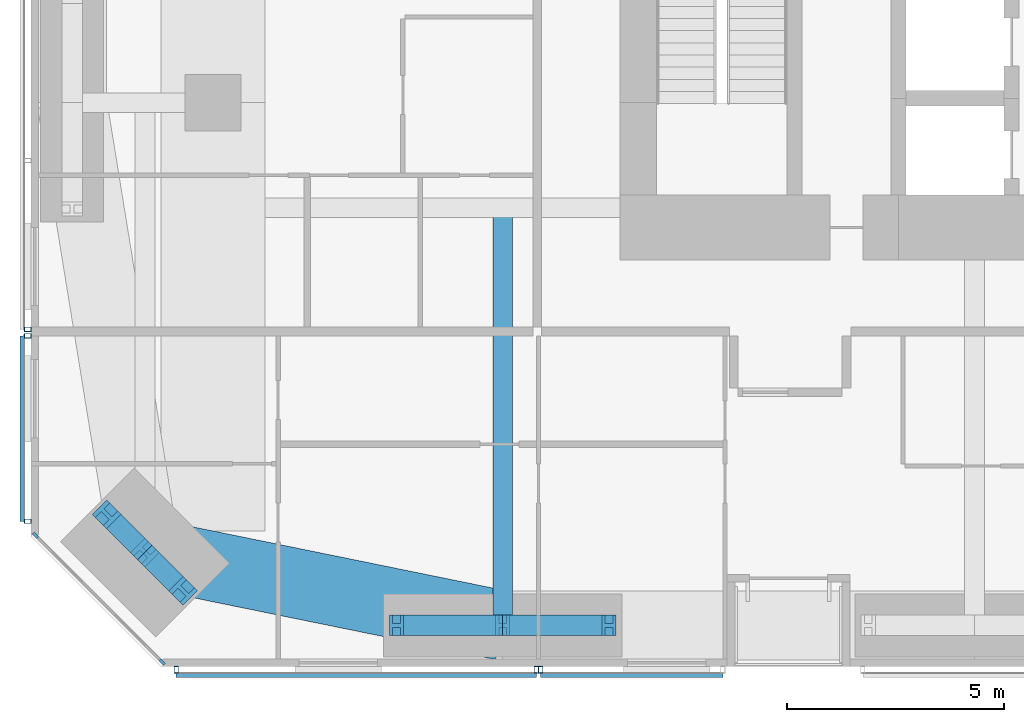
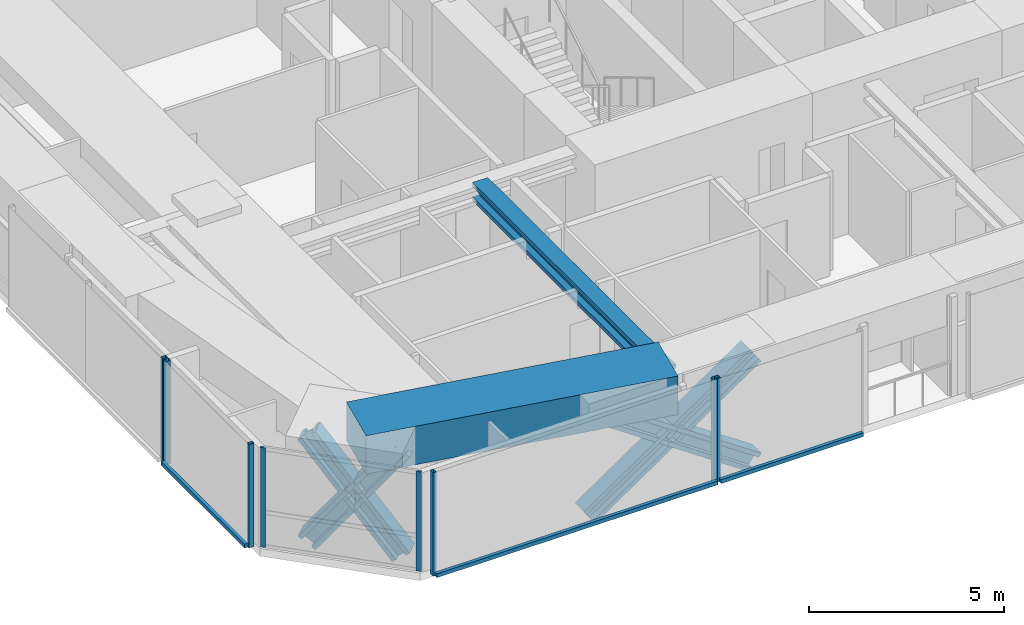
# One storey, part 2 of 24: 19 members, 2 beams, 5 elements without a shape of their own.
"""IFC4 building model written with IfcOpenShell, lengths in metres."""

from ifc_helpers import new_model, si_unit, direction, frame, origin, origin_2d, place, context, subcontext, project, spatial, rectangle, hollow_rectangle, i_section, extrude, material, material_profile, profile_set, type_object, element, aggregate, save


model = new_model("IFC4")

# Units and contexts
model_context = context("Model", 3, precision=1e-05, world=origin(), true_north=direction((0.0, 1.0)))
body_context = subcontext(model_context, "Body", "Model", "MODEL_VIEW")
ifc_project = project(units=[si_unit("LENGTHUNIT", "METRE"), si_unit("AREAUNIT", "SQUARE_METRE"), si_unit("VOLUMEUNIT", "CUBIC_METRE"), si_unit("PLANEANGLEUNIT", "RADIAN"), si_unit("MASSUNIT", "GRAM", prefix="KILO")], contexts=[model_context])

# Site, building, storey
site_placement = place(None, origin())
site = spatial("IfcSite", under=ifc_project, at=site_placement, CompositionType="ELEMENT")
building_placement = place(site_placement, origin())
building = spatial("IfcBuilding", under=site, at=building_placement, Name="Jalousie Tower", CompositionType="ELEMENT")
storey_placement = place(building_placement, frame((0.0, 0.0, 91.449951171875)))
storey = spatial("IfcBuildingStorey", under=building, at=storey_placement, Name="L24", CompositionType="ELEMENT", Elevation=91.449951171875)

# Curtain wall, members
ifc_material_1 = material(Name="Aluminium curtain wall", Category="aluminium")
curtain_wall_type_1 = type_object("IfcCurtainWallType", Name="CORNER WINDOW WALL", PredefinedType="USERDEFINED", material=ifc_material_1)
curtain_wall_1_placement = place(storey_placement, origin())
curtain_wall_1 = element("IfcCurtainWall", 1, at=curtain_wall_1_placement, inside=storey, type_object=curtain_wall_type_1, Name="Corner Window Wall L24 8", ObjectType="CORNER WINDOW WALL", PredefinedType="USERDEFINED")
ifc_material_2 = material(Name="Aluminium mullion", Category="aluminium")
ifc_material_profile_1 = material_profile(ifc_material_2, rectangle(XDim=0.06005859375, YDim=0.14990234375, at=origin_2d()), Name="MULLION 60x150")
ifc_profile_set_1 = profile_set([ifc_material_profile_1], Name="Aluminium mullion")
member_type_1 = type_object("IfcMemberType", Name="CORNER WINDOW WALL MULLION", PredefinedType="MULLION", material=ifc_profile_set_1)
member_1_placement = place(storey_placement, frame((6.108642578125, 3.030029296875, 0.0), z_axis=(0.0, 0.0, 1.0), x_axis=(0.707106781187, 0.707106781187, 0.0)))
member_1 = element("IfcMember", 2, at=member_1_placement, type_object=member_type_1, Name="CW-C mullion 1", PredefinedType="MULLION", context=body_context, shape_type="SweptSolid", body=[
    extrude(rectangle(XDim=0.06005859375, YDim=0.14990234375, at=origin_2d()), origin(), (0.0, 0.0, 1.0), 3.110107421875),
])
member_2_placement = place(storey_placement, frame((9.030029296875, 0.108642578125, 0.0), z_axis=(0.0, 0.0, 1.0), x_axis=(0.707106781187, 0.707106781187, 0.0)))
member_2 = element("IfcMember", 3, at=member_2_placement, type_object=member_type_1, Name="CW-C mullion 2", PredefinedType="MULLION", context=body_context, shape_type="SweptSolid", body=[
    extrude(rectangle(XDim=0.06005859375, YDim=0.14990234375, at=origin_2d()), origin(), (0.0, 0.0, 1.0), 3.110107421875),
])
aggregate(curtain_wall_1, [member_1, member_2])

# Beam
ifc_material_3 = material(Name="Steel ASTM A992 Grade 50", Category="steel")
ifc_material_profile_2 = material_profile(ifc_material_3, i_section(OverallWidth=0.45458984375, OverallDepth=0.569091796875, WebThickness=0.077880859375, FlangeThickness=0.124755859375, at=origin_2d()), Name="W14X730")
ifc_profile_set_2 = profile_set([ifc_material_profile_2], Name="Steel ASTM A992 Grade 50")
beam_type_1 = type_object("IfcBeamType", Name="LEAN COLLECTOR W14X730", PredefinedType="BEAM", material=ifc_profile_set_2)
beam_1_placement = place(storey_placement, frame((16.875, 0.949951171875, 2.825439453125), z_axis=(0.0, 1.0, 0.0), x_axis=(-1.0, 0.0, 0.0)))
element("IfcBeam", 4, at=beam_1_placement, inside=storey, type_object=beam_type_1, Name="Lean collector under L25", PredefinedType="BEAM", context=body_context, shape_type="SweptSolid", body=[
    extrude(i_section(OverallWidth=0.45458984375, OverallDepth=0.569091796875, WebThickness=0.077880859375, FlangeThickness=0.124755859375, at=origin_2d()), origin(), (0.0, 0.0, 1.0), 9.625),
])

# Members
ifc_material_4 = material(Name="Steel ASTM A992 Grade 50", Category="steel")
ifc_material_profile_3 = material_profile(ifc_material_4, i_section(OverallWidth=0.472412109375, OverallDepth=0.5791015625, WebThickness=0.094970703125, FlangeThickness=0.1298828125, at=origin_2d()), Name="W14X808")
ifc_profile_set_3 = profile_set([ifc_material_profile_3], Name="Steel ASTM A992 Grade 50")
member_type_2 = type_object("IfcMemberType", Name="PERIMETER BRACE W14X808", PredefinedType="BRACE", material=ifc_profile_set_3)
member_3_placement = place(storey_placement, frame((7.74755859375, 3.515380859375, -0.599853515625), z_axis=(0.422891306588, -0.423008127391, 0.801390708065), x_axis=(0.707204427637, 0.70700912125, 0.0)))
element("IfcMember", 5, at=member_3_placement, inside=storey, type_object=member_type_2, Name="Perimeter brace 01 L24 part 1", PredefinedType="BRACE", context=body_context, shape_type="SweptSolid", body=[
    extrude(i_section(OverallWidth=0.472412109375, OverallDepth=0.5791015625, WebThickness=0.094970703125, FlangeThickness=0.1298828125, at=origin_2d()), origin(), (0.0, 0.0, 1.0), 2.08984375),
])
member_4_placement = place(storey_placement, frame((8.63134765625, 2.63134765625, 1.074951171875), z_axis=(0.422968528423, -0.422851718556, 0.801432497518), x_axis=(0.70700912125, 0.707204427637, 0.0)))
element("IfcMember", 6, at=member_4_placement, inside=storey, type_object=member_type_2, Name="Perimeter brace 01 L24 part 2", PredefinedType="BRACE", context=body_context, shape_type="SweptSolid", body=[
    extrude(i_section(OverallWidth=0.472412109375, OverallDepth=0.5791015625, WebThickness=0.094970703125, FlangeThickness=0.1298828125, at=origin_2d()), origin(), (0.0, 0.0, 1.0), 2.090087890625),
])
member_5_placement = place(storey_placement, frame((9.515380859375, 1.74755859375, -0.599853515625), z_axis=(-0.423008127391, 0.422891306588, 0.801390708065), x_axis=(-0.70700912125, -0.707204427637, 0.0)))
element("IfcMember", 7, at=member_5_placement, inside=storey, type_object=member_type_2, Name="Perimeter brace 01 L24 part 3", PredefinedType="BRACE", context=body_context, shape_type="SweptSolid", body=[
    extrude(i_section(OverallWidth=0.472412109375, OverallDepth=0.5791015625, WebThickness=0.094970703125, FlangeThickness=0.1298828125, at=origin_2d()), origin(), (0.0, 0.0, 1.0), 2.08984375),
])
member_6_placement = place(storey_placement, frame((8.63134765625, 2.63134765625, 1.074951171875), z_axis=(-0.422851718556, 0.422968528423, 0.801432497518), x_axis=(-0.707204427637, -0.70700912125, 0.0)))
element("IfcMember", 8, at=member_6_placement, inside=storey, type_object=member_type_2, Name="Perimeter brace 01 L24 part 4", PredefinedType="BRACE", context=body_context, shape_type="SweptSolid", body=[
    extrude(i_section(OverallWidth=0.472412109375, OverallDepth=0.5791015625, WebThickness=0.094970703125, FlangeThickness=0.1298828125, at=origin_2d()), origin(), (0.0, 0.0, 1.0), 2.090087890625),
])
for number, where, z_axis, x_axis, name in (
    (9, (14.425048828125, 0.949951171875, -0.599853515625), (0.825539243753, 0.0, 0.564344714713), (0.0, 1.0, 0.0), "Perimeter brace 02 L24 part 1"),
    (10, (16.875, 0.949951171875, 1.074951171875), (0.825500916831, 0.0, 0.564400776321), (0.0, 1.0, 0.0), "Perimeter brace 02 L24 part 2"),
    (11, (19.324951171875, 0.949951171875, -0.599853515625), (-0.825539243753, 0.0, 0.564344714713), (0.0, -1.0, 0.0), "Perimeter brace 02 L24 part 3"),
    (12, (16.875, 0.949951171875, 1.074951171875), (-0.825500916831, 0.0, 0.564400776321), (0.0, -1.0, 0.0), "Perimeter brace 02 L24 part 4"),
):
    element("IfcMember", number, at=place(storey_placement, frame(where, z_axis=z_axis, x_axis=x_axis)), inside=storey, type_object=member_type_2, Name=name, PredefinedType="BRACE", context=body_context, shape_type="SweptSolid", body=[
        extrude(i_section(OverallWidth=0.472412109375, OverallDepth=0.5791015625, WebThickness=0.094970703125, FlangeThickness=0.1298828125, at=origin_2d()), origin(), (0.0, 0.0, 1.0), 2.9677734375),
    ])

# Beam
ifc_material_5 = material(Name="Concrete f'c 40 MPa", Category="concrete")
ifc_material_profile_4 = material_profile(ifc_material_5, rectangle(XDim=1.60009765625, YDim=1.199951171875, at=origin_2d()), Name="RC 1600x1200")
ifc_profile_set_4 = profile_set([ifc_material_profile_4], Name="Concrete f'c 40 MPa")
beam_type_2 = type_object("IfcBeamType", Name="RC BEAM 1600x1200", PredefinedType="BEAM", material=ifc_profile_set_4)
beam_2_placement = place(storey_placement, frame((8.63134765625, 2.63134765625, 2.75), z_axis=(0.97982690954, -0.199848010602, 0.0), x_axis=(0.199848010602, 0.97982690954, 0.0)))
element("IfcBeam", 13, at=beam_2_placement, inside=storey, type_object=beam_type_2, Name="Edge band beam 01-02 under L25", PredefinedType="BEAM", context=body_context, shape_type="SweptSolid", body=[
    extrude(rectangle(XDim=1.60009765625, YDim=1.199951171875, at=origin_2d()), origin(), (0.0, 0.0, 1.0), 8.413330078125),
])

# Curtain wall, members
ifc_material_6 = material(Name="Perforated aluminium sheet", Category="aluminium")
curtain_wall_type_2 = type_object("IfcCurtainWallType", Name="SOLAR SCREEN SS-1", PredefinedType="USERDEFINED", material=ifc_material_6)
curtain_wall_2_placement = place(storey_placement, origin())
curtain_wall_2 = element("IfcCurtainWall", 14, at=curtain_wall_2_placement, inside=storey, type_object=curtain_wall_type_2, Name="Solar screen L24", ObjectType="SOLAR SCREEN SS-1", PredefinedType="USERDEFINED")
ifc_material_7 = material(Name="Steel ASTM A500 Grade C", Category="steel")
ifc_material_profile_5 = material_profile(ifc_material_7, hollow_rectangle(XDim=0.1015625, YDim=0.15234375, WallThickness=0.00634765625, at=origin_2d()), Name="HSS6X4X1/4")
ifc_profile_set_5 = profile_set([ifc_material_profile_5], Name="Steel ASTM A500 Grade C")
member_type_3 = type_object("IfcMemberType", Name="SOLAR SCREEN SS-1 MULLION", PredefinedType="MULLION", material=ifc_profile_set_5)
member_7_placement = place(storey_placement, frame((9.351318359375, -0.0712890625, -0.119873046875), z_axis=(0.0, 0.0, 1.0), x_axis=(1.0, 0.0, 0.0)))
member_7 = element("IfcMember", 15, at=member_7_placement, type_object=member_type_3, Name="SS1 post 1", PredefinedType="MULLION", context=body_context, shape_type="SweptSolid", body=[
    extrude(hollow_rectangle(XDim=0.1015625, YDim=0.15234375, WallThickness=0.00634765625, at=origin_2d()), origin(), (0.0, 0.0, 1.0), 3.22998046875),
])
member_8_placement = place(storey_placement, frame((17.64990234375, -0.0712890625, -0.119873046875), z_axis=(0.0, 0.0, 1.0), x_axis=(1.0, 0.0, 0.0)))
member_8 = element("IfcMember", 16, at=member_8_placement, type_object=member_type_3, Name="SS1 post 2", PredefinedType="MULLION", context=body_context, shape_type="SweptSolid", body=[
    extrude(hollow_rectangle(XDim=0.1015625, YDim=0.15234375, WallThickness=0.00634765625, at=origin_2d()), origin(), (0.0, 0.0, 1.0), 3.22998046875),
])

# Curtain wall, member
curtain_wall_3_placement = place(storey_placement, origin())
curtain_wall_3 = element("IfcCurtainWall", 17, at=curtain_wall_3_placement, inside=storey, type_object=curtain_wall_type_2, Name="Solar screen L24", ObjectType="SOLAR SCREEN SS-1", PredefinedType="USERDEFINED")
member_9_placement = place(storey_placement, frame((17.75, -0.0712890625, -0.119873046875), z_axis=(0.0, 0.0, 1.0), x_axis=(1.0, 0.0, 0.0)))
member_9 = element("IfcMember", 18, at=member_9_placement, type_object=member_type_3, Name="SS1 post 1", PredefinedType="MULLION", context=body_context, shape_type="SweptSolid", body=[
    extrude(hollow_rectangle(XDim=0.1015625, YDim=0.15234375, WallThickness=0.00634765625, at=origin_2d()), origin(), (0.0, 0.0, 1.0), 3.22998046875),
])

curtain_wall_4_placement = place(storey_placement, origin())
curtain_wall_4 = element("IfcCurtainWall", 19, at=curtain_wall_4_placement, inside=storey, type_object=curtain_wall_type_2, Name="Solar screen L24", ObjectType="SOLAR SCREEN SS-1", PredefinedType="USERDEFINED")
member_10_placement = place(storey_placement, frame((5.9287109375, 7.77490234375, -0.119873046875), z_axis=(0.0, 0.0, 1.0), x_axis=(0.0, -1.0, 0.0)))
member_10 = element("IfcMember", 20, at=member_10_placement, type_object=member_type_3, Name="SS1 post 3", PredefinedType="MULLION", context=body_context, shape_type="SweptSolid", body=[
    extrude(hollow_rectangle(XDim=0.1015625, YDim=0.15234375, WallThickness=0.00634765625, at=origin_2d()), origin(), (0.0, 0.0, 1.0), 3.22998046875),
])
aggregate(curtain_wall_4, [member_10])

# Curtain wall, members
curtain_wall_5_placement = place(storey_placement, origin())
curtain_wall_5 = element("IfcCurtainWall", 21, at=curtain_wall_5_placement, inside=storey, type_object=curtain_wall_type_2, Name="Solar screen L24", ObjectType="SOLAR SCREEN SS-1", PredefinedType="USERDEFINED")
member_11_placement = place(storey_placement, frame((5.9287109375, 7.625, -0.119873046875), z_axis=(0.0, 0.0, 1.0), x_axis=(0.0, -1.0, 0.0)))
member_11 = element("IfcMember", 22, at=member_11_placement, type_object=member_type_3, Name="SS1 post 1", PredefinedType="MULLION", context=body_context, shape_type="SweptSolid", body=[
    extrude(hollow_rectangle(XDim=0.1015625, YDim=0.15234375, WallThickness=0.00634765625, at=origin_2d()), origin(), (0.0, 0.0, 1.0), 3.22998046875),
])
member_12_placement = place(storey_placement, frame((5.9287109375, 3.351318359375, -0.119873046875), z_axis=(0.0, 0.0, 1.0), x_axis=(0.0, -1.0, 0.0)))
member_12 = element("IfcMember", 23, at=member_12_placement, type_object=member_type_3, Name="SS1 post 2", PredefinedType="MULLION", context=body_context, shape_type="SweptSolid", body=[
    extrude(hollow_rectangle(XDim=0.1015625, YDim=0.15234375, WallThickness=0.00634765625, at=origin_2d()), origin(), (0.0, 0.0, 1.0), 3.22998046875),
])

# Member
ifc_material_8 = material(Name="Extruded aluminium screen rail", Category="aluminium")
ifc_material_profile_6 = material_profile(ifc_material_8, rectangle(XDim=0.1015625, YDim=0.1201171875, at=origin_2d()), Name="RAIL 102x120")
ifc_profile_set_6 = profile_set([ifc_material_profile_6], Name="Extruded aluminium screen rail")
member_type_4 = type_object("IfcMemberType", Name="SOLAR SCREEN SS-1 TRANSOM", PredefinedType="USERDEFINED", material=ifc_profile_set_6)
member_13_placement = place(storey_placement, frame((9.351318359375, -0.1982421875, -0.06005859375), z_axis=(1.0, 0.0, 0.0), x_axis=(0.0, 1.0, 0.0)))
member_13 = element("IfcMember", 24, at=member_13_placement, type_object=member_type_4, Name="SS1 rail", ObjectType="TRANSOM", PredefinedType="USERDEFINED", context=body_context, shape_type="SweptSolid", body=[
    extrude(rectangle(XDim=0.1015625, YDim=0.1201171875, at=origin_2d()), origin(), (0.0, 0.0, 1.0), 8.298583984375),
])

aggregate(curtain_wall_2, [member_7, member_8, member_13])

member_14_placement = place(storey_placement, frame((17.75, -0.1982421875, -0.06005859375), z_axis=(1.0, 0.0, 0.0), x_axis=(0.0, 1.0, 0.0)))
member_14 = element("IfcMember", 25, at=member_14_placement, type_object=member_type_4, Name="SS1 rail", ObjectType="TRANSOM", PredefinedType="USERDEFINED", context=body_context, shape_type="SweptSolid", body=[
    extrude(rectangle(XDim=0.1015625, YDim=0.1201171875, at=origin_2d()), origin(), (0.0, 0.0, 1.0), 4.199951171875),
])

aggregate(curtain_wall_3, [member_9, member_14])

member_15_placement = place(storey_placement, frame((5.8017578125, 7.625, -0.06005859375), z_axis=(0.0, -1.0, 0.0), x_axis=(1.0, 0.0, 0.0)))
member_15 = element("IfcMember", 26, at=member_15_placement, type_object=member_type_4, Name="SS1 rail", ObjectType="TRANSOM", PredefinedType="USERDEFINED", context=body_context, shape_type="SweptSolid", body=[
    extrude(rectangle(XDim=0.1015625, YDim=0.1201171875, at=origin_2d()), origin(), (0.0, 0.0, 1.0), 4.273681640625),
])

aggregate(curtain_wall_5, [member_11, member_12, member_15])

save(model, "model.ifc")
